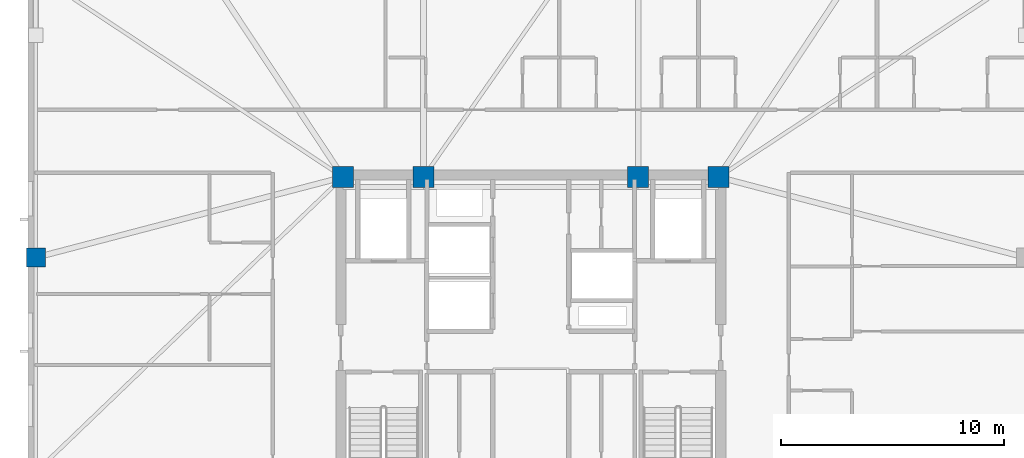
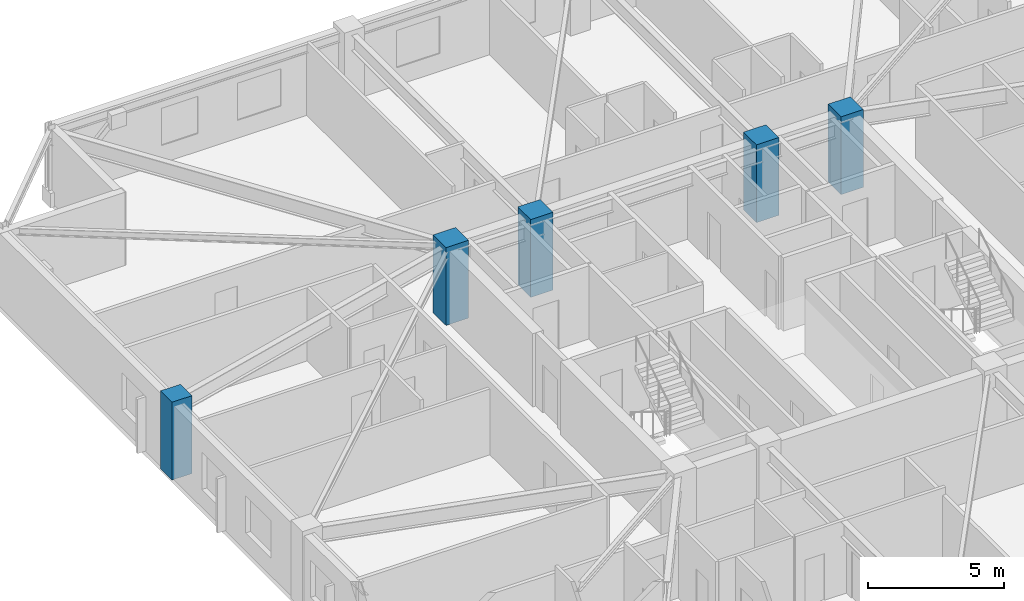
# One storey, part 2 of 17: 5 columns.
"""IFC4 building model written with IfcOpenShell, lengths in metres."""

from ifc_helpers import new_model, si_unit, direction, frame, origin, origin_2d, place, context, subcontext, project, spatial, rectangle, extrude, material, material_profile, profile_set, type_object, element, save


model = new_model("IFC4")

# Units and contexts
model_context = context("Model", 3, precision=1e-05, world=origin(), true_north=direction((0.0, 1.0)))
body_context = subcontext(model_context, "Body", "Model", "MODEL_VIEW")
ifc_project = project(units=[si_unit("LENGTHUNIT", "METRE"), si_unit("AREAUNIT", "SQUARE_METRE"), si_unit("VOLUMEUNIT", "CUBIC_METRE"), si_unit("PLANEANGLEUNIT", "RADIAN"), si_unit("MASSUNIT", "GRAM", prefix="KILO")], contexts=[model_context])

# Site, building, storey
site_placement = place(None, origin())
site = spatial("IfcSite", under=ifc_project, at=site_placement, CompositionType="ELEMENT")
building_placement = place(site_placement, origin())
building = spatial("IfcBuilding", under=site, at=building_placement, Name="Cairnveth Concourse Tower", CompositionType="ELEMENT")
storey_placement = place(building_placement, frame((0.0, 0.0, 269.0)))
storey = spatial("IfcBuildingStorey", under=building, at=storey_placement, Name="L74", CompositionType="ELEMENT", Elevation=269.0)

# Columns
ifc_material = material(Name="Concrete N65 (65 MPa)", Category="concrete")
ifc_material_profile_1 = material_profile(ifc_material, rectangle(XDim=0.949951171875, YDim=0.949951171875, at=origin_2d()), Name="RC-COL-950x950")
ifc_profile_set_1 = profile_set([ifc_material_profile_1], Name="Concrete N65 (65 MPa)")
column_type_1 = type_object("IfcColumnType", Name="CORE COLUMN 950X950", PredefinedType="COLUMN", material=ifc_profile_set_1)
for number, where, z_axis, x_axis, name in (
    (1, (43.60009765625, 47.39990234375, 0.0), (0.0, 0.0, 1.0), (1.0, 0.0, 0.0), "Column CC5 L74"),
    (2, (47.199951171875, 47.39990234375, 0.0), (0.0, 0.0, 1.0), (1.0, 0.0, 0.0), "Column CC6 L74"),
    (3, (56.800048828125, 47.39990234375, 0.0), (0.0, 0.0, 1.0), (1.0, 0.0, 0.0), "Column CC7 L74"),
    (4, (60.39990234375, 47.39990234375, 0.0), (0.0, 0.0, 1.0), (1.0, 0.0, 0.0), "Column CC8 L74"),
):
    element("IfcColumn", number, at=place(storey_placement, frame(where, z_axis=z_axis, x_axis=x_axis)), inside=storey, type_object=column_type_1, Name=name, PredefinedType="COLUMN", context=body_context, shape_type="SweptSolid", body=[
        extrude(rectangle(XDim=0.949951171875, YDim=0.949951171875, at=origin_2d()), origin(), (0.0, 0.0, 1.0), 3.5),
    ])
ifc_material_profile_2 = material_profile(ifc_material, rectangle(XDim=0.85009765625, YDim=0.85009765625, at=origin_2d()), Name="RC-COL-850x850")
ifc_profile_set_2 = profile_set([ifc_material_profile_2], Name="Concrete N65 (65 MPa)")
column_type_2 = type_object("IfcColumnType", Name="PERIMETER PIER COLUMN 850X850", PredefinedType="COLUMN", material=ifc_profile_set_2)
column_placement = place(storey_placement, frame((29.85009765625, 43.800048828125, 0.0), z_axis=(0.0, 0.0, 1.0), x_axis=(0.0, 1.0, 0.0)))
element("IfcColumn", 5, at=column_placement, inside=storey, type_object=column_type_2, Name="Column P-W2 L74", PredefinedType="COLUMN", context=body_context, shape_type="SweptSolid", body=[
    extrude(rectangle(XDim=0.85009765625, YDim=0.85009765625, at=origin_2d()), origin(), (0.0, 0.0, 1.0), 3.5),
])

save(model, "model.ifc")
